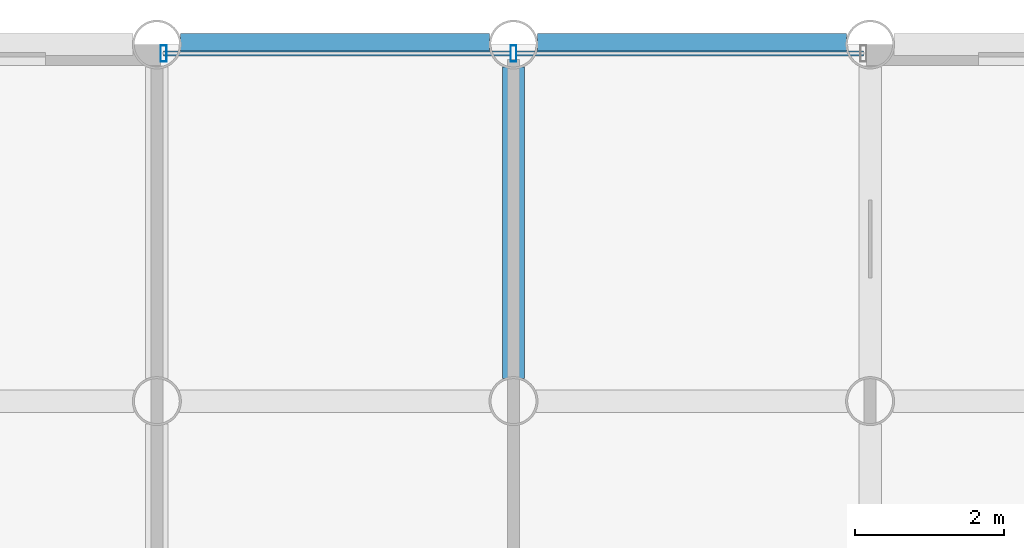
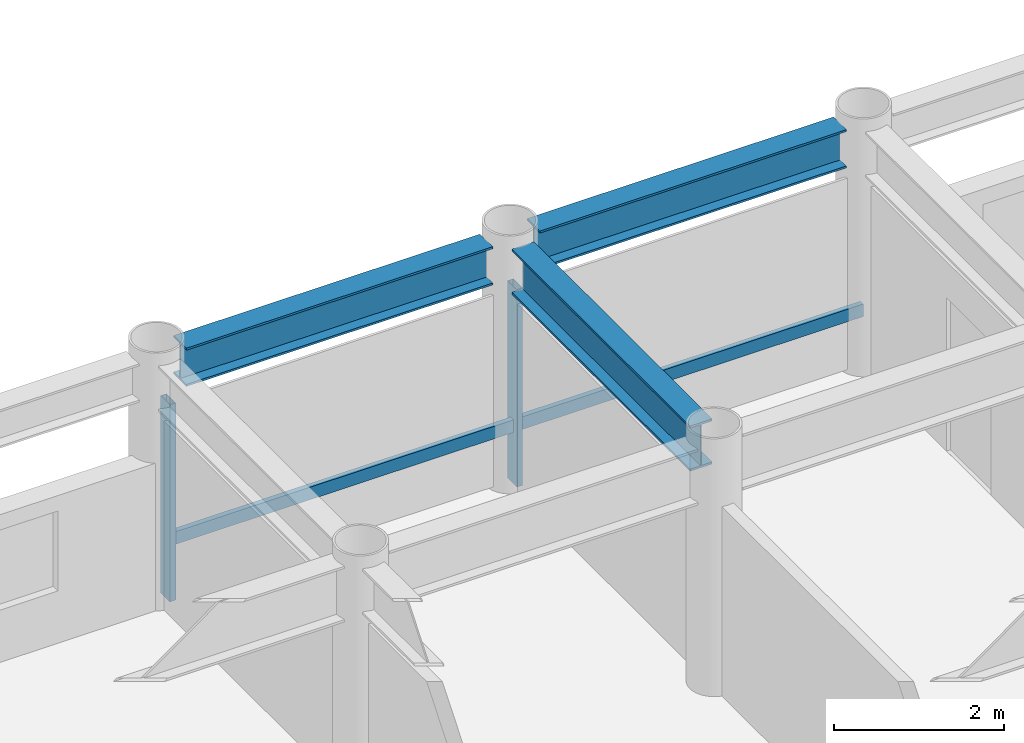
# One storey, part 13 of 22: 4 members, 3 beams, 1 element without a shape of its own.
"""IFC4 building model written with IfcOpenShell, lengths in metres."""

from ifc_helpers import new_model, si_unit, direction, frame, origin, origin_2d, place, context, subcontext, project, spatial, hollow_rectangle, i_section, extrude, material, layer, layer_set, material_profile, profile_set, type_object, element, aggregate, save


model = new_model("IFC4")

# Units and contexts
model_context = context("Model", 3, precision=1e-05, world=origin(), true_north=direction((0.0, 1.0)))
body_context = subcontext(model_context, "Body", "Model", "MODEL_VIEW")
ifc_project = project(units=[si_unit("LENGTHUNIT", "METRE"), si_unit("AREAUNIT", "SQUARE_METRE"), si_unit("VOLUMEUNIT", "CUBIC_METRE"), si_unit("PLANEANGLEUNIT", "RADIAN"), si_unit("MASSUNIT", "GRAM", prefix="KILO")], contexts=[model_context])

# Site, building, storey
site_placement = place(None, origin())
site = spatial("IfcSite", under=ifc_project, at=site_placement, CompositionType="ELEMENT")
building_placement = place(site_placement, origin())
building = spatial("IfcBuilding", under=site, at=building_placement, Name="Kallvorn Hotel Tower", CompositionType="ELEMENT")
storey_placement = place(building_placement, frame((0.0, 0.0, 113.699951171875)))
storey = spatial("IfcBuildingStorey", under=building, at=storey_placement, Name="L27", CompositionType="ELEMENT", Elevation=113.699951171875)

# Beams
ifc_material_1 = material(Name="Structural steel S355JR", Category="steel")
ifc_material_profile_1 = material_profile(ifc_material_1, i_section(OverallWidth=0.300048828125, OverallDepth=0.550048828125, WebThickness=0.014892578125, FlangeThickness=0.029052734375, at=origin_2d()), Name="HE 550 B")
ifc_profile_set_1 = profile_set([ifc_material_profile_1], Name="Structural steel S355JR")
beam_type_1 = type_object("IfcBeamType", Name="BM_HE550B", PredefinedType="SPANDREL", material=ifc_profile_set_1)
for number, where, z_axis, x_axis, name in (
    (1, (-4.47998046875, 24.0, 3.2451171875), (1.0, 0.0, 0.0), (0.0, 1.0, 0.0), "L28 Perimeter Spandrel 167"),
    (2, (0.320068359375, 24.0, 3.2451171875), (1.0, 0.0, 0.0), (0.0, 1.0, 0.0), "L28 Perimeter Spandrel 168"),
):
    element("IfcBeam", number, at=place(storey_placement, frame(where, z_axis=z_axis, x_axis=x_axis)), inside=storey, type_object=beam_type_1, Name=name, PredefinedType="SPANDREL", context=body_context, shape_type="SweptSolid", body=[
        extrude(i_section(OverallWidth=0.300048828125, OverallDepth=0.550048828125, WebThickness=0.014892578125, FlangeThickness=0.029052734375, at=origin_2d()), origin(), (0.0, 0.0, 1.0), 4.159912109375),
    ])
ifc_material_2 = material(Name="Structural steel S355JR", Category="steel")
ifc_material_profile_2 = material_profile(ifc_material_2, i_section(OverallWidth=0.300048828125, OverallDepth=0.64990234375, WebThickness=0.01611328125, FlangeThickness=0.031005859375, at=origin_2d()), Name="HE 650 B")
ifc_profile_set_2 = profile_set([ifc_material_profile_2], Name="Structural steel S355JR")
beam_type_2 = type_object("IfcBeamType", Name="BM_HE650B", PredefinedType="BEAM", material=ifc_profile_set_2)
beam_placement = place(storey_placement, frame((0.0, 19.5048828125, 3.195068359375), z_axis=(0.0, 1.0, 0.0), x_axis=(-1.0, 0.0, 0.0)))
element("IfcBeam", 3, at=beam_placement, inside=storey, type_object=beam_type_2, Name="L28 Primary Y-Girder 112", PredefinedType="BEAM", context=body_context, shape_type="SweptSolid", body=[
    extrude(i_section(OverallWidth=0.300048828125, OverallDepth=0.64990234375, WebThickness=0.01611328125, FlangeThickness=0.031005859375, at=origin_2d()), origin(), (0.0, 0.0, 1.0), 4.190185546875),
])

# Curtain wall, members
ifc_material_3 = material(Name="Thermally broken black-anodised aluminium AA 6063-T6", Category="aluminium")
ifc_layer = layer(ifc_material_3, 0.199951171875)
ifc_layer_set = layer_set([ifc_layer], Name="CW_SYS_3_HOTEL_LOW")
curtain_wall_type = type_object("IfcCurtainWallType", Name="CW_SYS_3_HOTEL_LOW", PredefinedType="USERDEFINED", material=ifc_layer_set)
curtain_wall_placement = place(storey_placement, origin())
curtain_wall = element("IfcCurtainWall", 4, at=curtain_wall_placement, inside=storey, type_object=curtain_wall_type, Name="L27 Dark-Glass Curtain Wall CW-L27-NC", ObjectType="UNITISED CURTAIN WALL", PredefinedType="USERDEFINED")
ifc_material_4 = material(Name="Thermally broken black-anodised aluminium AA 6063-T6", Category="aluminium")
ifc_material_profile_3 = material_profile(ifc_material_4, hollow_rectangle(XDim=0.080078125, YDim=0.219970703125, WallThickness=0.0048828125, at=origin_2d()), Name="MUL 220x80")
ifc_profile_set_3 = profile_set([ifc_material_profile_3], Name="Thermally broken black-anodised aluminium AA 6063-T6")
member_type_1 = type_object("IfcMemberType", Name="CW_MULLION_220x80", PredefinedType="MULLION", material=ifc_profile_set_3)
member_1_placement = place(storey_placement, frame((-4.7099609375, 23.8798828125, 0.02001953125), z_axis=(0.0, 0.0, 1.0), x_axis=(1.0, 0.0, 0.0)))
member_1 = element("IfcMember", 5, at=member_1_placement, type_object=member_type_1, Name="CW-L27-NC Mullion 00", PredefinedType="MULLION", context=body_context, shape_type="SweptSolid", body=[
    extrude(hollow_rectangle(XDim=0.080078125, YDim=0.219970703125, WallThickness=0.0048828125, at=origin_2d()), origin(), (0.0, 0.0, 1.0), 2.830078125),
])
member_2_placement = place(storey_placement, frame((0.0, 23.8798828125, 0.02001953125), z_axis=(0.0, 0.0, 1.0), x_axis=(1.0, 0.0, 0.0)))
member_2 = element("IfcMember", 6, at=member_2_placement, type_object=member_type_1, Name="CW-L27-NC Mullion 01", PredefinedType="MULLION", context=body_context, shape_type="SweptSolid", body=[
    extrude(hollow_rectangle(XDim=0.080078125, YDim=0.219970703125, WallThickness=0.0048828125, at=origin_2d()), origin(), (0.0, 0.0, 1.0), 2.830078125),
])
ifc_material_5 = material(Name="Thermally broken black-anodised aluminium AA 6063-T6", Category="aluminium")
ifc_material_profile_4 = material_profile(ifc_material_5, hollow_rectangle(XDim=0.070068359375, YDim=0.179931640625, WallThickness=0.00390625, at=origin_2d()), Name="TRN 180x70")
ifc_profile_set_4 = profile_set([ifc_material_profile_4], Name="Thermally broken black-anodised aluminium AA 6063-T6")
member_type_2 = type_object("IfcMemberType", Name="CW_TRANSOM_180x70", PredefinedType="USERDEFINED", material=ifc_profile_set_4)
member_3_placement = place(storey_placement, frame((-4.7099609375, 23.8798828125, 0.85009765625), z_axis=(1.0, 0.0, 0.0), x_axis=(0.0, 1.0, 0.0)))
member_3 = element("IfcMember", 7, at=member_3_placement, type_object=member_type_2, Name="CW-L27-NC Transom 00M", ObjectType="TRANSOM", PredefinedType="USERDEFINED", context=body_context, shape_type="SweptSolid", body=[
    extrude(hollow_rectangle(XDim=0.070068359375, YDim=0.179931640625, WallThickness=0.00390625, at=origin_2d()), origin(), (0.0, 0.0, 1.0), 4.669921875),
])
member_4_placement = place(storey_placement, frame((0.0400390625, 23.8798828125, 0.85009765625), z_axis=(1.0, 0.0, 0.0), x_axis=(0.0, 1.0, 0.0)))
member_4 = element("IfcMember", 8, at=member_4_placement, type_object=member_type_2, Name="CW-L27-NC Transom 01M", ObjectType="TRANSOM", PredefinedType="USERDEFINED", context=body_context, shape_type="SweptSolid", body=[
    extrude(hollow_rectangle(XDim=0.070068359375, YDim=0.179931640625, WallThickness=0.00390625, at=origin_2d()), origin(), (0.0, 0.0, 1.0), 4.669921875),
])
aggregate(curtain_wall, [member_1, member_2, member_3, member_4])

save(model, "model.ifc")
